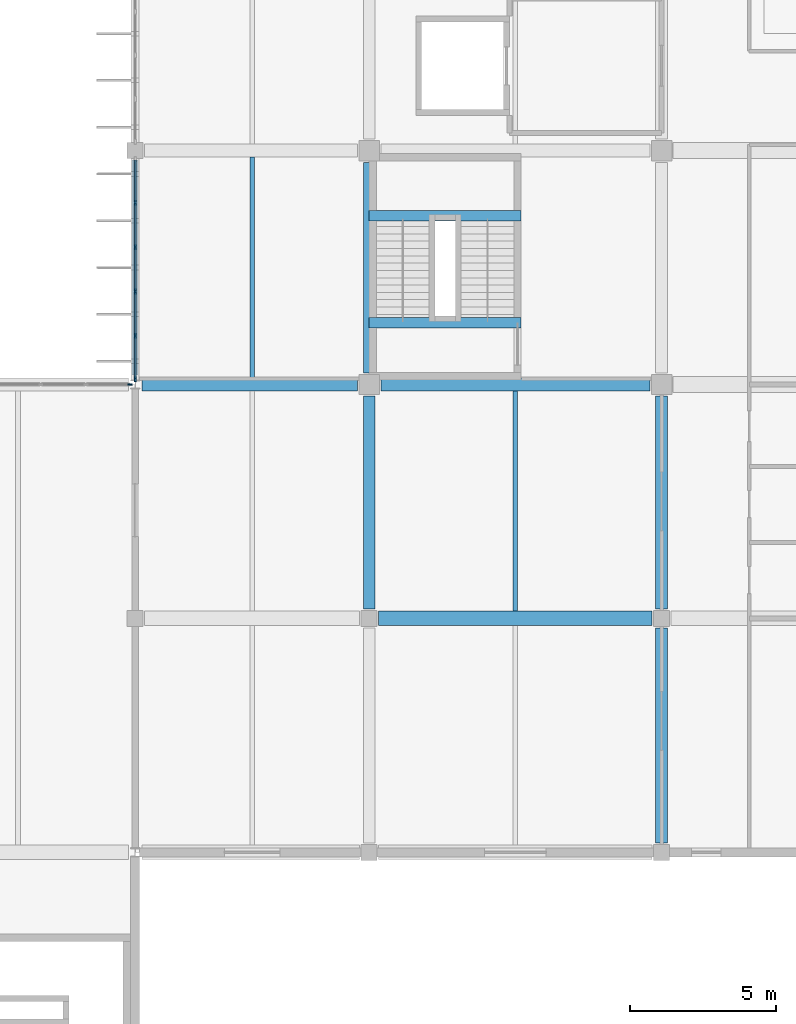
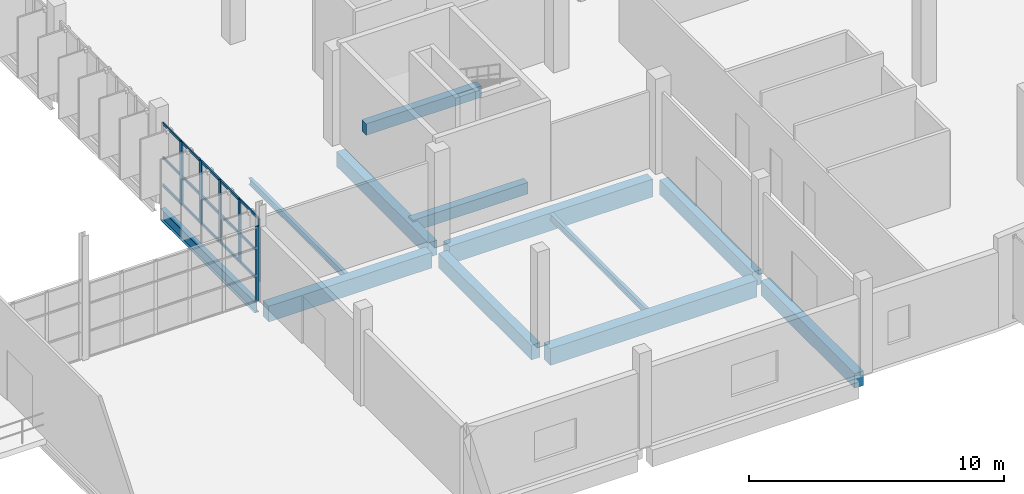
# One storey, part 41 of 93: 21 members, 12 beams, 2 elements without a shape of their own.
"""IFC4 building model written with IfcOpenShell, lengths in metres."""

from ifc_helpers import new_model, si_unit, direction, frame, origin, origin_2d, place, context, subcontext, project, spatial, rectangle, i_section, extrude, material, layer, layer_set, material_profile, profile_set, type_object, element, aggregate, save


model = new_model("IFC4")

# Units and contexts
model_context = context("Model", 3, precision=1e-05, world=origin(), true_north=direction((0.0, 1.0)))
body_context = subcontext(model_context, "Body", "Model", "MODEL_VIEW")
ifc_project = project(units=[si_unit("LENGTHUNIT", "METRE"), si_unit("AREAUNIT", "SQUARE_METRE"), si_unit("VOLUMEUNIT", "CUBIC_METRE"), si_unit("PLANEANGLEUNIT", "RADIAN"), si_unit("MASSUNIT", "GRAM", prefix="KILO")], contexts=[model_context])

# Site, building, storey
site_placement = place(None, origin())
site = spatial("IfcSite", under=ifc_project, at=site_placement, CompositionType="ELEMENT")
building_placement = place(site_placement, origin())
building = spatial("IfcBuilding", under=site, at=building_placement, Name="Drelvana Railside Aquatics Centre", CompositionType="ELEMENT")
storey_placement = place(building_placement, frame((0.0, 0.0, 5.39990234375)))
storey = spatial("IfcBuildingStorey", under=building, at=storey_placement, Name="L01", CompositionType="ELEMENT", Elevation=5.39990234375)

# Curtain wall, member
ifc_material_1 = material(Name="Bronze-anodised aluminium curtain wall", Category="aluminium")
ifc_layer_1 = layer(ifc_material_1, 0.1650390625, Name="Bronze-anodised aluminium curtain wall")
ifc_layer_set_1 = layer_set([ifc_layer_1], Name="Bronze-anodised aluminium curtain wall")
curtain_wall_type_1 = type_object("IfcCurtainWallType", Name="CW-Z5-COURT", PredefinedType="NOTDEFINED", material=ifc_layer_set_1)
curtain_wall_1_placement = place(storey_placement, origin())
curtain_wall_1 = element("IfcCurtainWall", 1, at=curtain_wall_1_placement, inside=storey, type_object=curtain_wall_type_1, Name="Curtain wall CW-05-114", PredefinedType="NOTDEFINED")
ifc_material_2 = material(Name="Bronze-anodised aluminium 6063-T6", Category="aluminium")
ifc_material_profile_1 = material_profile(ifc_material_2, rectangle(XDim=0.06005859375, YDim=0.14990234375, at=origin_2d()), Name="ALU-M 60x150")
ifc_profile_set_1 = profile_set([ifc_material_profile_1], Name="Bronze-anodised aluminium 6063-T6")
member_type_1 = type_object("IfcMemberType", Name="CW-Z5-COURT-MUL", PredefinedType="MULLION", material=ifc_profile_set_1)
member_1_placement = place(storey_placement, frame((143.825927734375, 24.0, -0.005859375), z_axis=(0.0, 0.0, 1.0), x_axis=(0.0, 1.0, 0.0)))
member_1 = element("IfcMember", 2, at=member_1_placement, type_object=member_type_1, Name="CW-05 mullion 6", PredefinedType="MULLION", context=body_context, shape_type="SweptSolid", body=[
    extrude(rectangle(XDim=0.06005859375, YDim=0.14990234375, at=origin_2d()), origin(), (0.0, 0.0, 1.0), 3.575927734375),
])
aggregate(curtain_wall_1, [member_1])

# Curtain wall, members
ifc_layer_2 = layer(ifc_material_1, 0.175048828125, Name="Bronze-anodised aluminium curtain wall")
ifc_layer_set_2 = layer_set([ifc_layer_2], Name="Bronze-anodised aluminium curtain wall")
curtain_wall_type_2 = type_object("IfcCurtainWallType", Name="CW-Z6-WING", PredefinedType="NOTDEFINED", material=ifc_layer_set_2)
curtain_wall_2_placement = place(storey_placement, origin())
curtain_wall_2 = element("IfcCurtainWall", 3, at=curtain_wall_2_placement, inside=storey, type_object=curtain_wall_type_2, Name="Curtain wall CW-06-137", PredefinedType="NOTDEFINED")
ifc_material_profile_2 = material_profile(ifc_material_2, rectangle(XDim=0.06494140625, YDim=0.175048828125, at=origin_2d()), Name="ALU-M 65x175")
ifc_profile_set_2 = profile_set([ifc_material_profile_2], Name="Bronze-anodised aluminium 6063-T6")
member_type_2 = type_object("IfcMemberType", Name="CW-Z6-WING-MUL", PredefinedType="MULLION", material=ifc_profile_set_2)
member_2_placement = place(storey_placement, frame((144.0, 24.176513671875, 0.794189453125), z_axis=(0.0, 0.0, 1.0), x_axis=(-1.0, 0.0, 0.0)))
member_2 = element("IfcMember", 4, at=member_2_placement, type_object=member_type_2, Name="CW-06 mullion 1", PredefinedType="MULLION", context=body_context, shape_type="SweptSolid", body=[
    extrude(rectangle(XDim=0.06494140625, YDim=0.175048828125, at=origin_2d()), origin(), (0.0, 0.0, 1.0), 3.005859375),
])
member_3_placement = place(storey_placement, frame((144.0, 25.661376953125, 0.794189453125), z_axis=(0.0, 0.0, 1.0), x_axis=(-1.0, 0.0, 0.0)))
member_3 = element("IfcMember", 5, at=member_3_placement, type_object=member_type_2, Name="CW-06 mullion 2", PredefinedType="MULLION", context=body_context, shape_type="SweptSolid", body=[
    extrude(rectangle(XDim=0.06494140625, YDim=0.175048828125, at=origin_2d()), origin(), (0.0, 0.0, 1.0), 3.005859375),
])
member_4_placement = place(storey_placement, frame((144.0, 27.1787109375, 0.794189453125), z_axis=(0.0, 0.0, 1.0), x_axis=(-1.0, 0.0, 0.0)))
member_4 = element("IfcMember", 6, at=member_4_placement, type_object=member_type_2, Name="CW-06 mullion 3", PredefinedType="MULLION", context=body_context, shape_type="SweptSolid", body=[
    extrude(rectangle(XDim=0.06494140625, YDim=0.175048828125, at=origin_2d()), origin(), (0.0, 0.0, 1.0), 3.005859375),
])
member_5_placement = place(storey_placement, frame((144.0, 28.6962890625, 0.794189453125), z_axis=(0.0, 0.0, 1.0), x_axis=(-1.0, 0.0, 0.0)))
member_5 = element("IfcMember", 7, at=member_5_placement, type_object=member_type_2, Name="CW-06 mullion 4", PredefinedType="MULLION", context=body_context, shape_type="SweptSolid", body=[
    extrude(rectangle(XDim=0.06494140625, YDim=0.175048828125, at=origin_2d()), origin(), (0.0, 0.0, 1.0), 3.005859375),
])
member_6_placement = place(storey_placement, frame((144.0, 30.213623046875, 0.794189453125), z_axis=(0.0, 0.0, 1.0), x_axis=(-1.0, 0.0, 0.0)))
member_6 = element("IfcMember", 8, at=member_6_placement, type_object=member_type_2, Name="CW-06 mullion 5", PredefinedType="MULLION", context=body_context, shape_type="SweptSolid", body=[
    extrude(rectangle(XDim=0.06494140625, YDim=0.175048828125, at=origin_2d()), origin(), (0.0, 0.0, 1.0), 3.005859375),
])
ifc_material_profile_3 = material_profile(ifc_material_2, rectangle(XDim=0.1201171875, YDim=0.06005859375, at=origin_2d()), Name="ALU-T 60x120")
ifc_profile_set_3 = profile_set([ifc_material_profile_3], Name="Bronze-anodised aluminium 6063-T6")
member_type_3 = type_object("IfcMemberType", Name="CW-Z6-WING-TRN", PredefinedType="USERDEFINED", material=ifc_profile_set_3)
member_7_placement = place(storey_placement, frame((144.0, 24.2041015625, 0.82421875), z_axis=(0.0, 1.0, 0.0), x_axis=(0.0, 0.0, 1.0)))
member_7 = element("IfcMember", 9, at=member_7_placement, type_object=member_type_3, Name="CW-06 transom 1.1", ObjectType="TRANSOM", PredefinedType="USERDEFINED", context=body_context, shape_type="SweptSolid", body=[
    extrude(rectangle(XDim=0.1201171875, YDim=0.06005859375, at=origin_2d()), origin(), (0.0, 0.0, 1.0), 1.4296875),
])
member_8_placement = place(storey_placement, frame((144.0, 24.2041015625, 2.147216796875), z_axis=(0.0, 1.0, 0.0), x_axis=(0.0, 0.0, 1.0)))
member_8 = element("IfcMember", 10, at=member_8_placement, type_object=member_type_3, Name="CW-06 transom 1.2", ObjectType="TRANSOM", PredefinedType="USERDEFINED", context=body_context, shape_type="SweptSolid", body=[
    extrude(rectangle(XDim=0.1201171875, YDim=0.06005859375, at=origin_2d()), origin(), (0.0, 0.0, 1.0), 1.4296875),
])
member_9_placement = place(storey_placement, frame((144.0, 24.2041015625, 3.77001953125), z_axis=(0.0, 1.0, 0.0), x_axis=(0.0, 0.0, 1.0)))
member_9 = element("IfcMember", 11, at=member_9_placement, type_object=member_type_3, Name="CW-06 transom 1.3", ObjectType="TRANSOM", PredefinedType="USERDEFINED", context=body_context, shape_type="SweptSolid", body=[
    extrude(rectangle(XDim=0.1201171875, YDim=0.06005859375, at=origin_2d()), origin(), (0.0, 0.0, 1.0), 1.4296875),
])
member_10_placement = place(storey_placement, frame((144.0, 25.68896484375, 0.82421875), z_axis=(0.0, 1.0, 0.0), x_axis=(0.0, 0.0, 1.0)))
member_10 = element("IfcMember", 12, at=member_10_placement, type_object=member_type_3, Name="CW-06 transom 2.1", ObjectType="TRANSOM", PredefinedType="USERDEFINED", context=body_context, shape_type="SweptSolid", body=[
    extrude(rectangle(XDim=0.1201171875, YDim=0.06005859375, at=origin_2d()), origin(), (0.0, 0.0, 1.0), 1.46240234375),
])
member_11_placement = place(storey_placement, frame((144.0, 25.68896484375, 2.147216796875), z_axis=(0.0, 1.0, 0.0), x_axis=(0.0, 0.0, 1.0)))
member_11 = element("IfcMember", 13, at=member_11_placement, type_object=member_type_3, Name="CW-06 transom 2.2", ObjectType="TRANSOM", PredefinedType="USERDEFINED", context=body_context, shape_type="SweptSolid", body=[
    extrude(rectangle(XDim=0.1201171875, YDim=0.06005859375, at=origin_2d()), origin(), (0.0, 0.0, 1.0), 1.46240234375),
])
member_12_placement = place(storey_placement, frame((144.0, 25.68896484375, 3.77001953125), z_axis=(0.0, 1.0, 0.0), x_axis=(0.0, 0.0, 1.0)))
member_12 = element("IfcMember", 14, at=member_12_placement, type_object=member_type_3, Name="CW-06 transom 2.3", ObjectType="TRANSOM", PredefinedType="USERDEFINED", context=body_context, shape_type="SweptSolid", body=[
    extrude(rectangle(XDim=0.1201171875, YDim=0.06005859375, at=origin_2d()), origin(), (0.0, 0.0, 1.0), 1.46240234375),
])
member_13_placement = place(storey_placement, frame((144.0, 27.206298828125, 0.82421875), z_axis=(0.0, 1.0, 0.0), x_axis=(0.0, 0.0, 1.0)))
member_13 = element("IfcMember", 15, at=member_13_placement, type_object=member_type_3, Name="CW-06 transom 3.1", ObjectType="TRANSOM", PredefinedType="USERDEFINED", context=body_context, shape_type="SweptSolid", body=[
    extrude(rectangle(XDim=0.1201171875, YDim=0.06005859375, at=origin_2d()), origin(), (0.0, 0.0, 1.0), 1.46240234375),
])
member_14_placement = place(storey_placement, frame((144.0, 27.206298828125, 2.147216796875), z_axis=(0.0, 1.0, 0.0), x_axis=(0.0, 0.0, 1.0)))
member_14 = element("IfcMember", 16, at=member_14_placement, type_object=member_type_3, Name="CW-06 transom 3.2", ObjectType="TRANSOM", PredefinedType="USERDEFINED", context=body_context, shape_type="SweptSolid", body=[
    extrude(rectangle(XDim=0.1201171875, YDim=0.06005859375, at=origin_2d()), origin(), (0.0, 0.0, 1.0), 1.46240234375),
])
member_15_placement = place(storey_placement, frame((144.0, 27.206298828125, 3.77001953125), z_axis=(0.0, 1.0, 0.0), x_axis=(0.0, 0.0, 1.0)))
member_15 = element("IfcMember", 17, at=member_15_placement, type_object=member_type_3, Name="CW-06 transom 3.3", ObjectType="TRANSOM", PredefinedType="USERDEFINED", context=body_context, shape_type="SweptSolid", body=[
    extrude(rectangle(XDim=0.1201171875, YDim=0.06005859375, at=origin_2d()), origin(), (0.0, 0.0, 1.0), 1.46240234375),
])
member_16_placement = place(storey_placement, frame((144.0, 28.7236328125, 0.82421875), z_axis=(0.0, 1.0, 0.0), x_axis=(0.0, 0.0, 1.0)))
member_16 = element("IfcMember", 18, at=member_16_placement, type_object=member_type_3, Name="CW-06 transom 4.1", ObjectType="TRANSOM", PredefinedType="USERDEFINED", context=body_context, shape_type="SweptSolid", body=[
    extrude(rectangle(XDim=0.1201171875, YDim=0.06005859375, at=origin_2d()), origin(), (0.0, 0.0, 1.0), 1.46240234375),
])
member_17_placement = place(storey_placement, frame((144.0, 28.7236328125, 2.147216796875), z_axis=(0.0, 1.0, 0.0), x_axis=(0.0, 0.0, 1.0)))
member_17 = element("IfcMember", 19, at=member_17_placement, type_object=member_type_3, Name="CW-06 transom 4.2", ObjectType="TRANSOM", PredefinedType="USERDEFINED", context=body_context, shape_type="SweptSolid", body=[
    extrude(rectangle(XDim=0.1201171875, YDim=0.06005859375, at=origin_2d()), origin(), (0.0, 0.0, 1.0), 1.46240234375),
])
member_18_placement = place(storey_placement, frame((144.0, 28.7236328125, 3.77001953125), z_axis=(0.0, 1.0, 0.0), x_axis=(0.0, 0.0, 1.0)))
member_18 = element("IfcMember", 20, at=member_18_placement, type_object=member_type_3, Name="CW-06 transom 4.3", ObjectType="TRANSOM", PredefinedType="USERDEFINED", context=body_context, shape_type="SweptSolid", body=[
    extrude(rectangle(XDim=0.1201171875, YDim=0.06005859375, at=origin_2d()), origin(), (0.0, 0.0, 1.0), 1.46240234375),
])
member_19_placement = place(storey_placement, frame((144.0, 30.2412109375, 0.82421875), z_axis=(0.0, 1.0, 0.0), x_axis=(0.0, 0.0, 1.0)))
member_19 = element("IfcMember", 21, at=member_19_placement, type_object=member_type_3, Name="CW-06 transom 5.1", ObjectType="TRANSOM", PredefinedType="USERDEFINED", context=body_context, shape_type="SweptSolid", body=[
    extrude(rectangle(XDim=0.1201171875, YDim=0.06005859375, at=origin_2d()), origin(), (0.0, 0.0, 1.0), 1.4296875),
])
member_20_placement = place(storey_placement, frame((144.0, 30.2412109375, 2.147216796875), z_axis=(0.0, 1.0, 0.0), x_axis=(0.0, 0.0, 1.0)))
member_20 = element("IfcMember", 22, at=member_20_placement, type_object=member_type_3, Name="CW-06 transom 5.2", ObjectType="TRANSOM", PredefinedType="USERDEFINED", context=body_context, shape_type="SweptSolid", body=[
    extrude(rectangle(XDim=0.1201171875, YDim=0.06005859375, at=origin_2d()), origin(), (0.0, 0.0, 1.0), 1.4296875),
])
member_21_placement = place(storey_placement, frame((144.0, 30.2412109375, 3.77001953125), z_axis=(0.0, 1.0, 0.0), x_axis=(0.0, 0.0, 1.0)))
member_21 = element("IfcMember", 23, at=member_21_placement, type_object=member_type_3, Name="CW-06 transom 5.3", ObjectType="TRANSOM", PredefinedType="USERDEFINED", context=body_context, shape_type="SweptSolid", body=[
    extrude(rectangle(XDim=0.1201171875, YDim=0.06005859375, at=origin_2d()), origin(), (0.0, 0.0, 1.0), 1.4296875),
])
aggregate(curtain_wall_2, [member_2, member_3, member_4, member_5, member_6, member_7, member_8, member_9, member_10, member_11, member_12, member_13, member_14, member_15, member_16, member_17, member_18, member_19, member_20, member_21])

# Beams
ifc_material_3 = material(Name="Concrete C40/50", Category="concrete")
ifc_material_profile_4 = material_profile(ifc_material_3, rectangle(XDim=0.35009765625, YDim=0.550048828125, at=origin_2d()), Name="RC 350x550")
ifc_profile_set_4 = profile_set([ifc_material_profile_4], Name="Concrete C40/50")
beam_type_1 = type_object("IfcBeamType", Name="STR-BM-BM-01-RC-350x550", PredefinedType="BEAM", material=ifc_profile_set_4)
for number, where, z_axis, x_axis, name in (
    (24, (152.0, 26.110107421875, -0.474853515625), (1.0, 0.0, 0.0), (0.0, 1.0, 0.0), "Stair ST-06 L01 landing beam"),
    (25, (152.0, 29.77001953125, 1.925048828125), (1.0, 0.0, 0.0), (0.0, 1.0, 0.0), "Stair ST-06 L01 mid-landing beam"),
):
    element("IfcBeam", number, at=place(storey_placement, frame(where, z_axis=z_axis, x_axis=x_axis)), inside=storey, type_object=beam_type_1, Name=name, PredefinedType="BEAM", context=body_context, shape_type="SweptSolid", body=[
        extrude(rectangle(XDim=0.35009765625, YDim=0.550048828125, at=origin_2d()), origin(), (0.0, 0.0, 1.0), 5.199951171875),
    ])
ifc_material_profile_5 = material_profile(ifc_material_3, rectangle(XDim=0.39990234375, YDim=0.699951171875, at=origin_2d()), Name="RC 400x700")
ifc_profile_set_5 = profile_set([ifc_material_profile_5], Name="Concrete C40/50")
beam_type_2 = type_object("IfcBeamType", Name="STR-BM-BM-03-RC-400x700", PredefinedType="BEAM", material=ifc_profile_set_5)
beam_1_placement = place(storey_placement, frame((152.0, 16.324951171875, -0.625), z_axis=(0.0, 1.0, 0.0), x_axis=(-1.0, 0.0, 0.0)))
element("IfcBeam", 26, at=beam_1_placement, inside=storey, type_object=beam_type_2, Name="Girder BM-03 (L01)", PredefinedType="BEAM", context=body_context, shape_type="SweptSolid", body=[
    extrude(rectangle(XDim=0.39990234375, YDim=0.699951171875, at=origin_2d()), origin(), (0.0, 0.0, 1.0), 7.275146484375),
])
beam_2_placement = place(storey_placement, frame((152.0, 24.39990234375, -0.625), z_axis=(0.0, 1.0, 0.0), x_axis=(-1.0, 0.0, 0.0)))
element("IfcBeam", 27, at=beam_2_placement, inside=storey, type_object=beam_type_2, Name="Girder BM-03 (L01)", PredefinedType="BEAM", context=body_context, shape_type="SweptSolid", body=[
    extrude(rectangle(XDim=0.39990234375, YDim=0.699951171875, at=origin_2d()), origin(), (0.0, 0.0, 1.0), 7.2001953125),
])
beam_3_placement = place(storey_placement, frame((162.0, 8.324951171875, -0.625), z_axis=(0.0, 1.0, 0.0), x_axis=(-1.0, 0.0, 0.0)))
element("IfcBeam", 28, at=beam_3_placement, inside=storey, type_object=beam_type_2, Name="Girder BM-03 (L01)", PredefinedType="BEAM", context=body_context, shape_type="SweptSolid", body=[
    extrude(rectangle(XDim=0.39990234375, YDim=0.699951171875, at=origin_2d()), origin(), (0.0, 0.0, 1.0), 7.35009765625),
])
beam_4_placement = place(storey_placement, frame((162.0, 16.324951171875, -0.625), z_axis=(0.0, 1.0, 0.0), x_axis=(-1.0, 0.0, 0.0)))
element("IfcBeam", 29, at=beam_4_placement, inside=storey, type_object=beam_type_2, Name="Girder BM-03 (L01)", PredefinedType="BEAM", context=body_context, shape_type="SweptSolid", body=[
    extrude(rectangle(XDim=0.39990234375, YDim=0.699951171875, at=origin_2d()), origin(), (0.0, 0.0, 1.0), 7.275146484375),
])
ifc_material_profile_6 = material_profile(ifc_material_3, rectangle(XDim=0.449951171875, YDim=0.75, at=origin_2d()), Name="RC 450x750")
ifc_profile_set_6 = profile_set([ifc_material_profile_6], Name="Concrete C40/50")
beam_type_3 = type_object("IfcBeamType", Name="STR-BM-BM-04-RC-450x750", PredefinedType="BEAM", material=ifc_profile_set_6)
beam_5_placement = place(storey_placement, frame((144.22509765625, 24.0, -0.64990234375), z_axis=(1.0, 0.0, 0.0), x_axis=(0.0, 1.0, 0.0)))
element("IfcBeam", 30, at=beam_5_placement, inside=storey, type_object=beam_type_3, Name="Girder BM-04 (L01)", PredefinedType="BEAM", context=body_context, shape_type="SweptSolid", body=[
    extrude(rectangle(XDim=0.449951171875, YDim=0.75, at=origin_2d()), origin(), (0.0, 0.0, 1.0), 7.375),
])
ifc_material_profile_7 = material_profile(ifc_material_3, rectangle(XDim=0.449951171875, YDim=0.85009765625, at=origin_2d()), Name="RC 450x850")
ifc_profile_set_7 = profile_set([ifc_material_profile_7], Name="Concrete C40/50")
beam_type_4 = type_object("IfcBeamType", Name="STR-BM-BM-05-RC-450x850", PredefinedType="BEAM", material=ifc_profile_set_7)
beam_6_placement = place(storey_placement, frame((152.39990234375, 24.0, -0.699951171875), z_axis=(1.0, 0.0, 0.0), x_axis=(0.0, 1.0, 0.0)))
element("IfcBeam", 31, at=beam_6_placement, inside=storey, type_object=beam_type_4, Name="Girder BM-05 (L01)", PredefinedType="BEAM", context=body_context, shape_type="SweptSolid", body=[
    extrude(rectangle(XDim=0.449951171875, YDim=0.85009765625, at=origin_2d()), origin(), (0.0, 0.0, 1.0), 9.2001953125),
])
ifc_material_profile_8 = material_profile(ifc_material_3, rectangle(XDim=0.5, YDim=0.800048828125, at=origin_2d()), Name="RC 500x800")
ifc_profile_set_8 = profile_set([ifc_material_profile_8], Name="Concrete C40/50")
beam_type_5 = type_object("IfcBeamType", Name="STR-BM-BM-06-RC-500x800", PredefinedType="SPANDREL", material=ifc_profile_set_8)
beam_7_placement = place(storey_placement, frame((152.324951171875, 16.0, -0.6748046875), z_axis=(1.0, 0.0, 0.0), x_axis=(0.0, 1.0, 0.0)))
element("IfcBeam", 32, at=beam_7_placement, inside=storey, type_object=beam_type_5, Name="Girder BM-06 (L01)", PredefinedType="SPANDREL", context=body_context, shape_type="SweptSolid", body=[
    extrude(rectangle(XDim=0.5, YDim=0.800048828125, at=origin_2d()), origin(), (0.0, 0.0, 1.0), 9.35009765625),
])
ifc_material_4 = material(Name="Structural steel S355", Category="steel")
ifc_material_profile_9 = material_profile(ifc_material_4, i_section(OverallWidth=0.2099609375, OverallDepth=0.550048828125, WebThickness=0.010986328125, FlangeThickness=0.01708984375, at=origin_2d()), Name="IPE 550")
ifc_profile_set_9 = profile_set([ifc_material_profile_9], Name="Structural steel S355")
beam_type_6 = type_object("IfcBeamType", Name="STR-SBM-SB-04-IPE-550", PredefinedType="SPANDREL", material=ifc_profile_set_9)
beam_8_placement = place(storey_placement, frame((144.0, 24.324951171875, -0.5498046875), z_axis=(0.0, 1.0, 0.0), x_axis=(-1.0, 0.0, 0.0)))
element("IfcBeam", 33, at=beam_8_placement, inside=storey, type_object=beam_type_6, Name="Girder SB-04 (L01)", PredefinedType="SPANDREL", context=body_context, shape_type="SweptSolid", body=[
    extrude(i_section(OverallWidth=0.2099609375, OverallDepth=0.550048828125, WebThickness=0.010986328125, FlangeThickness=0.01708984375, at=origin_2d()), origin(), (0.0, 0.0, 1.0), 7.35009765625),
])
ifc_material_profile_10 = material_profile(ifc_material_4, i_section(OverallWidth=0.14990234375, OverallDepth=0.300048828125, WebThickness=0.007080078125, FlangeThickness=0.0107421875, at=origin_2d()), Name="IPE 300")
ifc_profile_set_10 = profile_set([ifc_material_profile_10], Name="Structural steel S355")
beam_type_7 = type_object("IfcBeamType", Name="STR-SBM-SJ-03-IPE-300", PredefinedType="JOIST", material=ifc_profile_set_10)
beam_9_placement = place(storey_placement, frame((148.0, 24.22509765625, -0.4248046875), z_axis=(0.0, 1.0, 0.0), x_axis=(-1.0, 0.0, 0.0)))
element("IfcBeam", 34, at=beam_9_placement, inside=storey, type_object=beam_type_7, Name="Secondary floor joist SJ-03 (L01)", PredefinedType="JOIST", context=body_context, shape_type="SweptSolid", body=[
    extrude(i_section(OverallWidth=0.14990234375, OverallDepth=0.300048828125, WebThickness=0.007080078125, FlangeThickness=0.0107421875, at=origin_2d()), origin(), (0.0, 0.0, 1.0), 7.5498046875),
])
beam_10_placement = place(storey_placement, frame((157.0, 16.25, -0.4248046875), z_axis=(0.0, 1.0, 0.0), x_axis=(-1.0, 0.0, 0.0)))
element("IfcBeam", 35, at=beam_10_placement, inside=storey, type_object=beam_type_7, Name="Secondary floor joist SJ-03 (L01)", PredefinedType="JOIST", context=body_context, shape_type="SweptSolid", body=[
    extrude(i_section(OverallWidth=0.14990234375, OverallDepth=0.300048828125, WebThickness=0.007080078125, FlangeThickness=0.0107421875, at=origin_2d()), origin(), (0.0, 0.0, 1.0), 7.52490234375),
])

save(model, "model.ifc")
